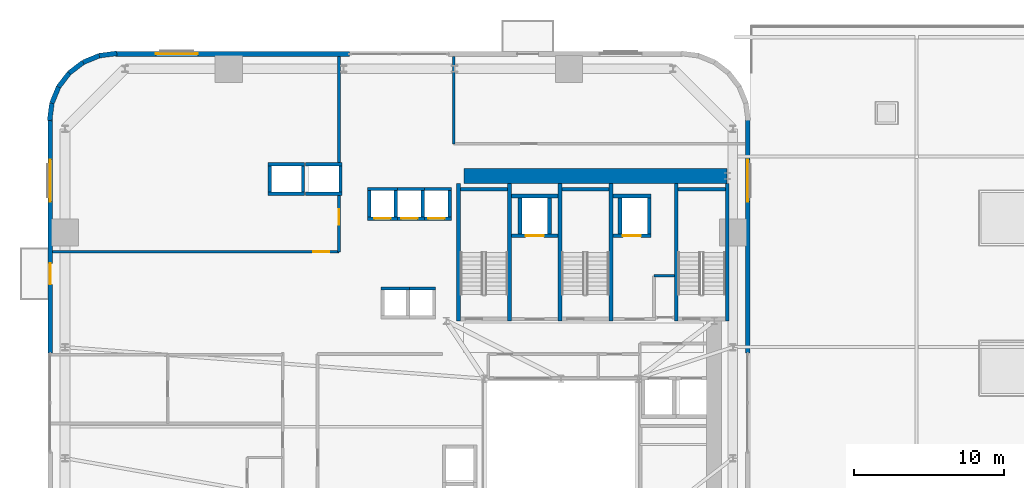
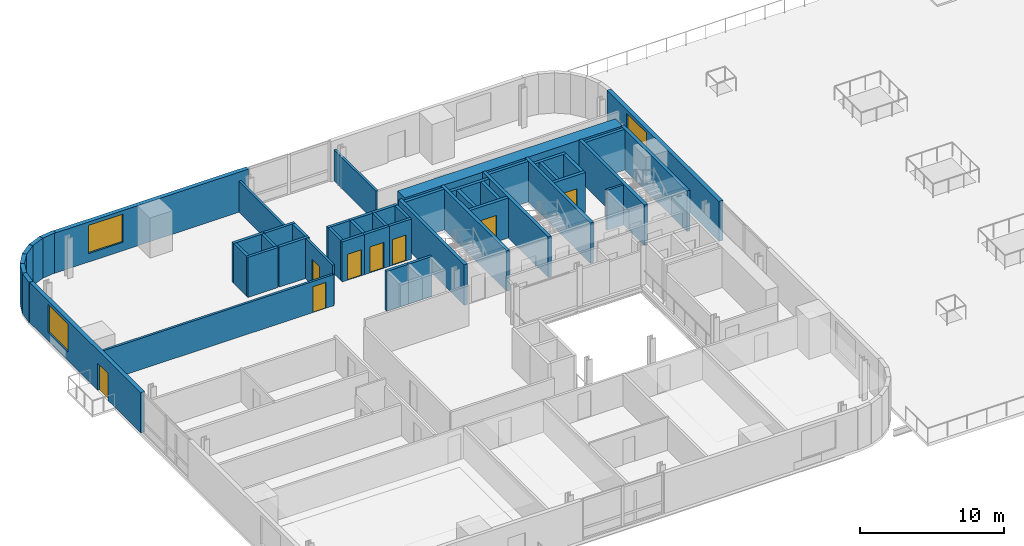
# One storey, part 11 of 18: 51 walls, 8 doors, 3 windows, 11 openings.
"""IFC4 building model written with IfcOpenShell, lengths in metres."""

from ifc_helpers import new_model, si_unit, direction, frame, frame_2d, origin, place, context, subcontext, project, spatial, rectangle, extrude, source, transform, mapped, material, layer, layer_set, type_object, element, fill, save


model = new_model("IFC4")

# Units and contexts
model_context = context("Model", 3, precision=1e-05, world=origin(), true_north=direction((0.0, 1.0)))
body_context = subcontext(model_context, "Body", "Model", "MODEL_VIEW")
ifc_project = project(units=[si_unit("LENGTHUNIT", "METRE"), si_unit("AREAUNIT", "SQUARE_METRE"), si_unit("VOLUMEUNIT", "CUBIC_METRE"), si_unit("PLANEANGLEUNIT", "RADIAN"), si_unit("MASSUNIT", "GRAM", prefix="KILO")], contexts=[model_context])

# Site, building, storey
site_placement = place(None, origin())
site = spatial("IfcSite", under=ifc_project, at=site_placement, CompositionType="ELEMENT")
building_placement = place(site_placement, origin())
building = spatial("IfcBuilding", under=site, at=building_placement, Name="Vardaveli Station Tower", CompositionType="ELEMENT")
storey_placement = place(building_placement, frame((0.0, 0.0, 27.60009765625)))
storey = spatial("IfcBuildingStorey", under=building, at=storey_placement, Name="L06", CompositionType="ELEMENT", Elevation=27.60009765625)

# Wall
ifc_material_1 = material(Name="Concrete C60/75", Category="concrete")
ifc_layer_1 = layer(ifc_material_1, 1.0, Name="Concrete C60/75")
ifc_layer_set_1 = layer_set([ifc_layer_1], Name="Concrete C60/75")
wall_type_1 = type_object("IfcWallType", Name="WAL-CORE-1000", PredefinedType="SHEAR", material=ifc_layer_set_1)
shared_shape_1 = source(origin(), body_context, "Body", "SweptSolid", [
    extrude(rectangle(XDim=17.52001953125, YDim=1.0, at=frame_2d((8.760009765625, 0.0))), origin(), (0.0, 0.0, 1.0), 3.409912109375),
])
wall_1_placement = place(storey_placement, frame((29.85009765625, 40.300048828125, 0.0), z_axis=(0.0, 0.0, 1.0), x_axis=(1.0, 0.0, 0.0)))
element("IfcWall", 1, at=wall_1_placement, inside=storey, type_object=wall_type_1, Name="SW-L06-NORTH", PredefinedType="SHEAR", context=body_context, shape_type="MappedRepresentation", body=[
    mapped(shared_shape_1, transform((0.0, 0.0, 0.0), scale=1.0)),
])

# Wall, opening, window
ifc_material_2 = material(Name="Precast concrete C45/55", Category="concrete")
ifc_layer_2 = layer(ifc_material_2, 0.320068359375, Name="Precast concrete C45/55")
ifc_layer_set_2 = layer_set([ifc_layer_2], Name="Precast concrete C45/55")
wall_type_2 = type_object("IfcWallType", Name="WAL-EXT-STONE-320", PredefinedType="SOLIDWALL", material=ifc_layer_set_2)
shared_shape_2 = source(origin(), body_context, "Body", "SweptSolid", [
    extrude(rectangle(XDim=15.599853515625, YDim=0.320068359375, at=frame_2d((7.7998046875, 0.0))), origin(), (0.0, 0.0, 1.0), 3.409912109375),
])
wall_2_placement = place(storey_placement, frame((22.199951171875, 48.43994140625, 0.0), z_axis=(0.0, 0.0, 1.0), x_axis=(-1.0, 0.0, 0.0)))
wall_2 = element("IfcWall", 2, at=wall_2_placement, inside=storey, type_object=wall_type_2, Name="EW-L06-N2", PredefinedType="SOLIDWALL", context=body_context, shape_type="MappedRepresentation", body=[
    mapped(shared_shape_2, transform((0.0, 0.0, 0.0), scale=1.0)),
])
shared_shape_3 = source(origin(), body_context, "Body", "SweptSolid", [
    extrude(rectangle(XDim=2.800048828125, YDim=2.39990234375, at=frame_2d((1.39990234375, 1.199951171875))), frame((0.0, 0.169921875, 0.0), z_axis=(0.0, -1.0, 0.0), x_axis=(1.0, 0.0, 0.0)), (0.0, 0.0, 1.0), 0.340087890625),
])
opening_1_placement = place(wall_2_placement, frame((10.094970703125, 0.0, 0.719970703125)))
opening_1 = element("IfcOpeningElement", 3, at=opening_1_placement, cuts=wall_2, Name="Opening W-04", PredefinedType="OPENING", context=body_context, shape_type="MappedRepresentation", body=[
    mapped(shared_shape_3, transform((0.0, 0.0, 0.0), scale=1.0)),
])
ifc_material_3 = material(Name="Low-E solar-control glass", Category="glass")
window_type = type_object("IfcWindowType", Name="WIN-SUITE-2800x2400", PartitioningType="SINGLE_PANEL", PredefinedType="WINDOW", material=ifc_material_3)
shared_shape_4 = source(origin(), body_context, "Body", "SweptSolid", [
    extrude(rectangle(XDim=2.800048828125, YDim=2.39990234375, at=frame_2d((1.39990234375, 1.199951171875))), frame((0.0, 0.030029296875, 0.0), z_axis=(0.0, -1.0, 0.0), x_axis=(1.0, 0.0, 0.0)), (0.0, 0.0, 1.0), 0.06005859375),
])
window_1_placement = place(opening_1_placement, origin())
window_1 = element("IfcWindow", 4, at=window_1_placement, inside=storey, type_object=window_type, Name="WN-L06-N2", OverallHeight=2.39990234375, OverallWidth=2.800048828125, PartitioningType="SINGLE_PANEL", PredefinedType="WINDOW", context=body_context, shape_type="MappedRepresentation", body=[
    mapped(shared_shape_4, transform((0.0, 0.0, 0.0), scale=1.0)),
])
fill(opening_1, window_1)

# Wall, openings, door, window
shared_shape_5 = source(origin(), body_context, "Body", "SweptSolid", [
    extrude(rectangle(XDim=15.60009765625, YDim=0.320068359375, at=frame_2d((7.800048828125, 0.0))), origin(), (0.0, 0.0, 1.0), 3.409912109375),
])
wall_3_placement = place(storey_placement, frame((2.260009765625, 44.10009765625, 0.0), z_axis=(0.0, 0.0, 1.0), x_axis=(0.0, -1.0, 0.0)))
wall_3 = element("IfcWall", 5, at=wall_3_placement, inside=storey, type_object=wall_type_2, Name="EW-L06-W1", PredefinedType="SOLIDWALL", context=body_context, shape_type="MappedRepresentation", body=[
    mapped(shared_shape_5, transform((0.0, 0.0, 0.0), scale=1.0)),
])
shared_shape_6 = source(origin(), body_context, "Body", "SweptSolid", [
    extrude(rectangle(XDim=1.39990234375, YDim=2.300048828125, at=frame_2d((0.699951171875, 1.14990234375))), frame((0.0, 0.169921875, 0.0), z_axis=(0.0, -1.0, 0.0), x_axis=(1.0, 0.0, 0.0)), (0.0, 0.0, 1.0), 0.340087890625),
])
opening_2_placement = place(wall_3_placement, frame((9.6103515625, 0.0, 0.0)))
opening_2 = element("IfcOpeningElement", 6, at=opening_2_placement, cuts=wall_3, Name="Opening D-09", PredefinedType="OPENING", context=body_context, shape_type="MappedRepresentation", body=[
    mapped(shared_shape_6, transform((0.0, 0.0, 0.0), scale=1.0)),
])
opening_3_placement = place(wall_3_placement, frame((2.705078125, 0.0, 0.719970703125)))
opening_3 = element("IfcOpeningElement", 7, at=opening_3_placement, cuts=wall_3, Name="Opening W-04", PredefinedType="OPENING", context=body_context, shape_type="MappedRepresentation", body=[
    mapped(shared_shape_3, transform((0.0, 0.0, 0.0), scale=1.0)),
])
ifc_material_4 = material(Name="Thermally broken aluminium glass", Category="aluminium")
door_type_1 = type_object("IfcDoorType", Name="DR-LOG-1400x2300", OperationType="DOUBLE_DOOR_SLIDING", PredefinedType="DOOR", material=ifc_material_4)
shared_shape_7 = source(origin(), body_context, "Body", "SweptSolid", [
    extrude(rectangle(XDim=1.39990234375, YDim=2.300048828125, at=frame_2d((0.699951171875, 1.14990234375))), frame((0.0, 0.02490234375, 0.0), z_axis=(0.0, -1.0, 0.0), x_axis=(1.0, 0.0, 0.0)), (0.0, 0.0, 1.0), 0.050048828125),
])
door_1_placement = place(opening_2_placement, frame((1.39990234375, 0.0, 0.0), z_axis=(0.0, 0.0, 1.0), x_axis=(-1.0, 0.0, 0.0)))
door_1 = element("IfcDoor", 8, at=door_1_placement, inside=storey, type_object=door_type_1, Name="DLG-L06-W", OperationType="DOUBLE_DOOR_SLIDING", OverallHeight=2.300048828125, OverallWidth=1.39990234375, PredefinedType="DOOR", context=body_context, shape_type="MappedRepresentation", body=[
    mapped(shared_shape_7, transform((0.0, 0.0, 0.0), scale=1.0)),
])
fill(opening_2, door_1)
window_2_placement = place(opening_3_placement, origin())
window_2 = element("IfcWindow", 9, at=window_2_placement, inside=storey, type_object=window_type, Name="WN-L06-W1", OverallHeight=2.39990234375, OverallWidth=2.800048828125, PartitioningType="SINGLE_PANEL", PredefinedType="WINDOW", context=body_context, shape_type="MappedRepresentation", body=[
    mapped(shared_shape_4, transform((0.0, 0.0, 0.0), scale=1.0)),
])
fill(opening_3, window_2)

# Wall, opening, window
wall_4_placement = place(storey_placement, frame((48.739990234375, 28.5, 0.0), z_axis=(0.0, 0.0, 1.0), x_axis=(0.0, 1.0, 0.0)))
wall_4 = element("IfcWall", 10, at=wall_4_placement, inside=storey, type_object=wall_type_2, Name="EW-L06-E2", PredefinedType="SOLIDWALL", context=body_context, shape_type="MappedRepresentation", body=[
    mapped(shared_shape_5, transform((0.0, 0.0, 0.0), scale=1.0)),
])
opening_4_placement = place(wall_4_placement, frame((10.094970703125, 0.0, 0.719970703125)))
opening_4 = element("IfcOpeningElement", 11, at=opening_4_placement, cuts=wall_4, Name="Opening W-04", PredefinedType="OPENING", context=body_context, shape_type="MappedRepresentation", body=[
    mapped(shared_shape_3, transform((0.0, 0.0, 0.0), scale=1.0)),
])
window_3_placement = place(opening_4_placement, origin())
window_3 = element("IfcWindow", 12, at=window_3_placement, inside=storey, type_object=window_type, Name="WN-L06-E2", OverallHeight=2.39990234375, OverallWidth=2.800048828125, PartitioningType="SINGLE_PANEL", PredefinedType="WINDOW", context=body_context, shape_type="MappedRepresentation", body=[
    mapped(shared_shape_4, transform((0.0, 0.0, 0.0), scale=1.0)),
])
fill(opening_4, window_3)

# Walls
shared_shape_8 = source(origin(), body_context, "Body", "SweptSolid", [
    extrude(rectangle(XDim=1.1689453125, YDim=0.320068359375, at=frame_2d((0.58447265625, 0.0))), origin(), (0.0, 0.0, 1.0), 3.409912109375),
])
wall_5_placement = place(storey_placement, frame((3.53125, 47.1689453125, 0.0), z_axis=(0.0, 0.0, 1.0), x_axis=(-0.608387696831, -0.793639975269, 0.0)))
element("IfcWall", 13, at=wall_5_placement, inside=storey, type_object=wall_type_2, Name="EW-L06-CR4-4", PredefinedType="SOLIDWALL", context=body_context, shape_type="MappedRepresentation", body=[
    mapped(shared_shape_8, transform((0.0, 0.0, 0.0), scale=1.0)),
])
shared_shape_9 = source(origin(), body_context, "Body", "SweptSolid", [
    extrude(rectangle(XDim=1.168701171875, YDim=0.320068359375, at=frame_2d((0.58447265625, 0.0))), origin(), (0.0, 0.0, 1.0), 3.409912109375),
])
wall_6_placement = place(storey_placement, frame((4.458740234375, 47.8798828125, 0.0), z_axis=(0.0, 0.0, 1.0), x_axis=(-0.793663520347, -0.608356981114, 0.0)))
element("IfcWall", 14, at=wall_6_placement, inside=storey, type_object=wall_type_2, Name="EW-L06-CR4-3", PredefinedType="SOLIDWALL", context=body_context, shape_type="MappedRepresentation", body=[
    mapped(shared_shape_9, transform((0.0, 0.0, 0.0), scale=1.0)),
])
shared_shape_10 = source(origin(), body_context, "Body", "SweptSolid", [
    extrude(rectangle(XDim=1.17041015625, YDim=0.320068359375, at=frame_2d((0.585205078125, 0.0))), origin(), (0.0, 0.0, 1.0), 3.409912109375),
])
for number, where, z_axis, x_axis, name in (
    (15, (6.700439453125, 48.4755859375, 0.0), (0.0, 0.0, 1.0), (-0.991735963317, -0.128295670475, 0.0), "EW-L06-CR4-1"),
    (16, (2.37451171875, 45.16015625, 0.0), (0.0, 0.0, 1.0), (-0.128295670475, -0.991735963317, 0.0), "EW-L06-CR4-6"),
):
    element("IfcWall", number, at=place(storey_placement, frame(where, z_axis=z_axis, x_axis=x_axis)), inside=storey, type_object=wall_type_2, Name=name, PredefinedType="SOLIDWALL", context=body_context, shape_type="MappedRepresentation", body=[
        mapped(shared_shape_10, transform((0.0, 0.0, 0.0), scale=1.0)),
    ])
shared_shape_11 = source(origin(), body_context, "Body", "SweptSolid", [
    extrude(rectangle(XDim=1.169189453125, YDim=0.320068359375, at=frame_2d((0.58447265625, 0.0))), origin(), (0.0, 0.0, 1.0), 3.409912109375),
])
for number, where, z_axis, x_axis, name in (
    (17, (5.539794921875, 48.325439453125, 0.0), (0.0, 0.0, 1.0), (-0.924552646638, -0.381054331552, 0.0), "EW-L06-CR4-2"),
    (18, (2.820068359375, 46.2412109375, 0.0), (0.0, 0.0, 1.0), (-0.381054331552, -0.924552646638, 0.0), "EW-L06-CR4-5"),
):
    element("IfcWall", number, at=place(storey_placement, frame(where, z_axis=z_axis, x_axis=x_axis)), inside=storey, type_object=wall_type_2, Name=name, PredefinedType="SOLIDWALL", context=body_context, shape_type="MappedRepresentation", body=[
        mapped(shared_shape_11, transform((0.0, 0.0, 0.0), scale=1.0)),
    ])
ifc_material_5 = material(Name="Concrete C40/50", Category="concrete")
ifc_layer_3 = layer(ifc_material_5, 0.25, Name="Concrete C40/50")
ifc_layer_set_3 = layer_set([ifc_layer_3], Name="Concrete C40/50")
wall_type_3 = type_object("IfcWallType", Name="WAL-SHAFT-250", PredefinedType="SOLIDWALL", material=ifc_layer_set_3)
shared_shape_12 = source(origin(), body_context, "Body", "SweptSolid", [
    extrude(rectangle(XDim=9.150146484375, YDim=0.25, at=frame_2d((4.5751953125, 0.0))), origin(), (0.0, 0.0, 1.0), 3.449951171875),
])
for number, where, z_axis, x_axis, name in (
    (19, (29.47509765625, 30.64990234375, 0.0), (0.0, 0.0, 1.0), (0.0, 1.0, 0.0), "W-L06-ST-1W"),
    (20, (32.875, 30.64990234375, 0.0), (0.0, 0.0, 1.0), (0.0, 1.0, 0.0), "W-L06-ST-1E"),
    (21, (36.22509765625, 30.64990234375, 0.0), (0.0, 0.0, 1.0), (0.0, 1.0, 0.0), "W-L06-ST-2W"),
    (22, (39.625, 30.64990234375, 0.0), (0.0, 0.0, 1.0), (0.0, 1.0, 0.0), "W-L06-ST-2E"),
    (23, (43.97509765625, 30.64990234375, 0.0), (0.0, 0.0, 1.0), (0.0, 1.0, 0.0), "W-L06-ST-3W"),
    (24, (47.375, 30.64990234375, 0.0), (0.0, 0.0, 1.0), (0.0, 1.0, 0.0), "W-L06-ST-3E"),
):
    element("IfcWall", number, at=place(storey_placement, frame(where, z_axis=z_axis, x_axis=x_axis)), inside=storey, type_object=wall_type_3, Name=name, PredefinedType="SOLIDWALL", context=body_context, shape_type="MappedRepresentation", body=[
        mapped(shared_shape_12, transform((0.0, 0.0, 0.0), scale=1.0)),
    ])
shared_shape_13 = source(origin(), body_context, "Body", "SweptSolid", [
    extrude(rectangle(XDim=3.14990234375, YDim=0.25, at=frame_2d((1.574951171875, 0.0))), origin(), (0.0, 0.0, 1.0), 3.449951171875),
])
for number, where, z_axis, x_axis, name in (
    (25, (29.60009765625, 39.425048828125, 0.0), (0.0, 0.0, 1.0), (1.0, 0.0, 0.0), "W-L06-ST-1N"),
    (26, (36.35009765625, 39.425048828125, 0.0), (0.0, 0.0, 1.0), (1.0, 0.0, 0.0), "W-L06-ST-2N"),
    (27, (44.10009765625, 39.425048828125, 0.0), (0.0, 0.0, 1.0), (1.0, 0.0, 0.0), "W-L06-ST-3N"),
):
    element("IfcWall", number, at=place(storey_placement, frame(where, z_axis=z_axis, x_axis=x_axis)), inside=storey, type_object=wall_type_3, Name=name, PredefinedType="SOLIDWALL", context=body_context, shape_type="MappedRepresentation", body=[
        mapped(shared_shape_13, transform((0.0, 0.0, 0.0), scale=1.0)),
    ])
ifc_layer_4 = layer(ifc_material_5, 0.219970703125, Name="Concrete C40/50")
ifc_layer_set_4 = layer_set([ifc_layer_4], Name="Concrete C40/50")
wall_type_4 = type_object("IfcWallType", Name="WAL-FFLOBBY-220", PredefinedType="SOLIDWALL", material=ifc_layer_set_4)
shared_shape_14 = source(origin(), body_context, "Body", "SweptSolid", [
    extrude(rectangle(XDim=2.43994140625, YDim=0.219970703125, at=frame_2d((1.219970703125, 0.0))), origin(), (0.0, 0.0, 1.0), 3.409912109375),
])
for number, where, z_axis, x_axis, name in (
    (28, (16.780029296875, 39.114990234375, 0.0), (0.0, 0.0, 1.0), (1.0, 0.0, 0.0), "SHW-POD-01-L06-S"),
    (29, (16.780029296875, 41.0849609375, 0.0), (0.0, 0.0, 1.0), (1.0, 0.0, 0.0), "SHW-POD-01-L06-N"),
    (30, (19.280029296875, 39.114990234375, 0.0), (0.0, 0.0, 1.0), (1.0, 0.0, 0.0), "SHW-POD-02-L06-S"),
    (31, (19.280029296875, 41.0849609375, 0.0), (0.0, 0.0, 1.0), (1.0, 0.0, 0.0), "SHW-POD-02-L06-N"),
):
    element("IfcWall", number, at=place(storey_placement, frame(where, z_axis=z_axis, x_axis=x_axis)), inside=storey, type_object=wall_type_4, Name=name, PredefinedType="SOLIDWALL", context=body_context, shape_type="MappedRepresentation", body=[
        mapped(shared_shape_14, transform((0.0, 0.0, 0.0), scale=1.0)),
    ])
shared_shape_15 = source(origin(), body_context, "Body", "SweptSolid", [
    extrude(rectangle(XDim=1.75, YDim=0.219970703125, at=frame_2d((0.875, 0.0))), origin(), (0.0, 0.0, 1.0), 3.409912109375),
])
for number, where, z_axis, x_axis, name in (
    (32, (16.889892578125, 39.22509765625, 0.0), (0.0, 0.0, 1.0), (0.0, 1.0, 0.0), "SHW-POD-01-L06-W"),
    (33, (19.110107421875, 39.22509765625, 0.0), (0.0, 0.0, 1.0), (0.0, 1.0, 0.0), "SHW-POD-01-L06-E"),
    (34, (21.610107421875, 39.22509765625, 0.0), (0.0, 0.0, 1.0), (0.0, 1.0, 0.0), "SHW-POD-02-L06-E"),
    (35, (23.514892578125, 37.574951171875, 0.0), (0.0, 0.0, 1.0), (0.0, 1.0, 0.0), "SHW-HL1-01-L06-W"),
    (36, (25.284912109375, 37.574951171875, 0.0), (0.0, 0.0, 1.0), (0.0, 1.0, 0.0), "SHW-HL1-01-L06-E"),
    (37, (27.0849609375, 37.574951171875, 0.0), (0.0, 0.0, 1.0), (0.0, 1.0, 0.0), "SHW-HL1-02-L06-E"),
    (38, (28.885009765625, 37.574951171875, 0.0), (0.0, 0.0, 1.0), (0.0, 1.0, 0.0), "SHW-HL1-03-L06-E"),
):
    element("IfcWall", number, at=place(storey_placement, frame(where, z_axis=z_axis, x_axis=x_axis)), inside=storey, type_object=wall_type_4, Name=name, PredefinedType="SOLIDWALL", context=body_context, shape_type="MappedRepresentation", body=[
        mapped(shared_shape_15, transform((0.0, 0.0, 0.0), scale=1.0)),
    ])

# Wall, opening, door
shared_shape_16 = source(origin(), body_context, "Body", "SweptSolid", [
    extrude(rectangle(XDim=1.989990234375, YDim=0.219970703125, at=frame_2d((0.9951171875, 0.0))), origin(), (0.0, 0.0, 1.0), 3.409912109375),
])
wall_7_placement = place(storey_placement, frame((23.405029296875, 37.465087890625, 0.0), z_axis=(0.0, 0.0, 1.0), x_axis=(1.0, 0.0, 0.0)))
wall_7 = element("IfcWall", 39, at=wall_7_placement, inside=storey, type_object=wall_type_4, Name="SHW-HL1-01-L06-S", PredefinedType="SOLIDWALL", context=body_context, shape_type="MappedRepresentation", body=[
    mapped(shared_shape_16, transform((0.0, 0.0, 0.0), scale=1.0)),
])
shared_shape_17 = source(origin(), body_context, "Body", "SweptSolid", [
    extrude(rectangle(XDim=1.10009765625, YDim=2.199951171875, at=frame_2d((0.550048828125, 1.10009765625))), frame((0.0, 0.1201171875, 0.0), z_axis=(0.0, -1.0, 0.0), x_axis=(1.0, 0.0, 0.0)), (0.0, 0.0, 1.0), 0.239990234375),
])
opening_5_placement = place(wall_7_placement, frame((0.445068359375, 0.0, 0.0)))
opening_5 = element("IfcOpeningElement", 40, at=opening_5_placement, cuts=wall_7, Name="Opening LD-01", PredefinedType="OPENING", context=body_context, shape_type="MappedRepresentation", body=[
    mapped(shared_shape_17, transform((0.0, 0.0, 0.0), scale=1.0)),
])
ifc_material_6 = material(Name="Brushed stainless steel", Category="steel")
door_type_2 = type_object("IfcDoorType", Name="DR-LD-1100x2200", OperationType="DOUBLE_DOOR_SLIDING", PredefinedType="DOOR", material=ifc_material_6)
shared_shape_18 = source(origin(), body_context, "Body", "SweptSolid", [
    extrude(rectangle(XDim=1.10009765625, YDim=2.199951171875, at=frame_2d((0.550048828125, 1.10009765625))), frame((0.0, 0.02490234375, 0.0), z_axis=(0.0, -1.0, 0.0), x_axis=(1.0, 0.0, 0.0)), (0.0, 0.0, 1.0), 0.050048828125),
])
door_2_placement = place(opening_5_placement, origin())
door_2 = element("IfcDoor", 41, at=door_2_placement, inside=storey, type_object=door_type_2, Name="LD-HL1-01-L06", OperationType="DOUBLE_DOOR_SLIDING", OverallHeight=2.199951171875, OverallWidth=1.10009765625, PredefinedType="DOOR", context=body_context, shape_type="MappedRepresentation", body=[
    mapped(shared_shape_18, transform((0.0, 0.0, 0.0), scale=1.0)),
])
fill(opening_5, door_2)

# Wall
wall_8_placement = place(storey_placement, frame((23.405029296875, 39.43505859375, 0.0), z_axis=(0.0, 0.0, 1.0), x_axis=(1.0, 0.0, 0.0)))
element("IfcWall", 42, at=wall_8_placement, inside=storey, type_object=wall_type_4, Name="SHW-HL1-01-L06-N", PredefinedType="SOLIDWALL", context=body_context, shape_type="MappedRepresentation", body=[
    mapped(shared_shape_16, transform((0.0, 0.0, 0.0), scale=1.0)),
])

# Wall, opening, door
wall_9_placement = place(storey_placement, frame((25.205078125, 37.465087890625, 0.0), z_axis=(0.0, 0.0, 1.0), x_axis=(1.0, 0.0, 0.0)))
wall_9 = element("IfcWall", 43, at=wall_9_placement, inside=storey, type_object=wall_type_4, Name="SHW-HL1-02-L06-S", PredefinedType="SOLIDWALL", context=body_context, shape_type="MappedRepresentation", body=[
    mapped(shared_shape_16, transform((0.0, 0.0, 0.0), scale=1.0)),
])
opening_6_placement = place(wall_9_placement, frame((0.445068359375, 0.0, 0.0)))
opening_6 = element("IfcOpeningElement", 44, at=opening_6_placement, cuts=wall_9, Name="Opening LD-01", PredefinedType="OPENING", context=body_context, shape_type="MappedRepresentation", body=[
    mapped(shared_shape_17, transform((0.0, 0.0, 0.0), scale=1.0)),
])
door_3_placement = place(opening_6_placement, origin())
door_3 = element("IfcDoor", 45, at=door_3_placement, inside=storey, type_object=door_type_2, Name="LD-HL1-02-L06", OperationType="DOUBLE_DOOR_SLIDING", OverallHeight=2.199951171875, OverallWidth=1.10009765625, PredefinedType="DOOR", context=body_context, shape_type="MappedRepresentation", body=[
    mapped(shared_shape_18, transform((0.0, 0.0, 0.0), scale=1.0)),
])
fill(opening_6, door_3)

# Wall
wall_10_placement = place(storey_placement, frame((25.205078125, 39.43505859375, 0.0), z_axis=(0.0, 0.0, 1.0), x_axis=(1.0, 0.0, 0.0)))
element("IfcWall", 46, at=wall_10_placement, inside=storey, type_object=wall_type_4, Name="SHW-HL1-02-L06-N", PredefinedType="SOLIDWALL", context=body_context, shape_type="MappedRepresentation", body=[
    mapped(shared_shape_16, transform((0.0, 0.0, 0.0), scale=1.0)),
])

# Wall, opening, door
shared_shape_19 = source(origin(), body_context, "Body", "SweptSolid", [
    extrude(rectangle(XDim=1.990234375, YDim=0.219970703125, at=frame_2d((0.9951171875, 0.0))), origin(), (0.0, 0.0, 1.0), 3.409912109375),
])
wall_11_placement = place(storey_placement, frame((27.0048828125, 37.465087890625, 0.0), z_axis=(0.0, 0.0, 1.0), x_axis=(1.0, 0.0, 0.0)))
wall_11 = element("IfcWall", 47, at=wall_11_placement, inside=storey, type_object=wall_type_4, Name="SHW-HL1-03-L06-S", PredefinedType="SOLIDWALL", context=body_context, shape_type="MappedRepresentation", body=[
    mapped(shared_shape_19, transform((0.0, 0.0, 0.0), scale=1.0)),
])
opening_7_placement = place(wall_11_placement, frame((0.445068359375, 0.0, 0.0)))
opening_7 = element("IfcOpeningElement", 48, at=opening_7_placement, cuts=wall_11, Name="Opening LD-01", PredefinedType="OPENING", context=body_context, shape_type="MappedRepresentation", body=[
    mapped(shared_shape_17, transform((0.0, 0.0, 0.0), scale=1.0)),
])
door_4_placement = place(opening_7_placement, origin())
door_4 = element("IfcDoor", 49, at=door_4_placement, inside=storey, type_object=door_type_2, Name="LD-HL1-03-L06", OperationType="DOUBLE_DOOR_SLIDING", OverallHeight=2.199951171875, OverallWidth=1.10009765625, PredefinedType="DOOR", context=body_context, shape_type="MappedRepresentation", body=[
    mapped(shared_shape_18, transform((0.0, 0.0, 0.0), scale=1.0)),
])
fill(opening_7, door_4)

# Wall
wall_12_placement = place(storey_placement, frame((27.0048828125, 39.43505859375, 0.0), z_axis=(0.0, 0.0, 1.0), x_axis=(1.0, 0.0, 0.0)))
element("IfcWall", 50, at=wall_12_placement, inside=storey, type_object=wall_type_4, Name="SHW-HL1-03-L06-N", PredefinedType="SOLIDWALL", context=body_context, shape_type="MappedRepresentation", body=[
    mapped(shared_shape_19, transform((0.0, 0.0, 0.0), scale=1.0)),
])

# Wall, opening, door
shared_shape_20 = source(origin(), body_context, "Body", "SweptSolid", [
    extrude(rectangle(XDim=3.10009765625, YDim=0.25, at=frame_2d((1.550048828125, 0.0))), origin(), (0.0, 0.0, 1.0), 3.409912109375),
])
wall_13_placement = place(storey_placement, frame((33.0, 36.324951171875, 0.0), z_axis=(0.0, 0.0, 1.0), x_axis=(1.0, 0.0, 0.0)))
wall_13 = element("IfcWall", 51, at=wall_13_placement, inside=storey, type_object=wall_type_3, Name="SHW-FFL-01-L06-S", PredefinedType="SOLIDWALL", context=body_context, shape_type="MappedRepresentation", body=[
    mapped(shared_shape_20, transform((0.0, 0.0, 0.0), scale=1.0)),
])
shared_shape_21 = source(origin(), body_context, "Body", "SweptSolid", [
    extrude(rectangle(XDim=1.199951171875, YDim=2.25, at=frame_2d((0.60009765625, 1.125))), frame((0.0, 0.135009765625, 0.0), z_axis=(0.0, -1.0, 0.0), x_axis=(1.0, 0.0, 0.0)), (0.0, 0.0, 1.0), 0.27001953125),
])
opening_8_placement = place(wall_13_placement, frame((0.949951171875, 0.0, 0.0)))
opening_8 = element("IfcOpeningElement", 52, at=opening_8_placement, cuts=wall_13, Name="Opening LD-02", PredefinedType="OPENING", context=body_context, shape_type="MappedRepresentation", body=[
    mapped(shared_shape_21, transform((0.0, 0.0, 0.0), scale=1.0)),
])
door_type_3 = type_object("IfcDoorType", Name="DR-LD-1200x2250", OperationType="DOUBLE_DOOR_SLIDING", PredefinedType="DOOR", material=ifc_material_6)
shared_shape_22 = source(origin(), body_context, "Body", "SweptSolid", [
    extrude(rectangle(XDim=1.199951171875, YDim=2.25, at=frame_2d((0.60009765625, 1.125))), frame((0.0, 0.02490234375, 0.0), z_axis=(0.0, -1.0, 0.0), x_axis=(1.0, 0.0, 0.0)), (0.0, 0.0, 1.0), 0.050048828125),
])
door_5_placement = place(opening_8_placement, origin())
door_5 = element("IfcDoor", 53, at=door_5_placement, inside=storey, type_object=door_type_3, Name="LD-FFL-01-L06", OperationType="DOUBLE_DOOR_SLIDING", OverallHeight=2.25, OverallWidth=1.199951171875, PredefinedType="DOOR", context=body_context, shape_type="MappedRepresentation", body=[
    mapped(shared_shape_22, transform((0.0, 0.0, 0.0), scale=1.0)),
])
fill(opening_8, door_5)

# Walls
wall_14_placement = place(storey_placement, frame((33.0, 38.97509765625, 0.0), z_axis=(0.0, 0.0, 1.0), x_axis=(1.0, 0.0, 0.0)))
element("IfcWall", 54, at=wall_14_placement, inside=storey, type_object=wall_type_3, Name="SHW-FFL-01-L06-N", PredefinedType="SOLIDWALL", context=body_context, shape_type="MappedRepresentation", body=[
    mapped(shared_shape_20, transform((0.0, 0.0, 0.0), scale=1.0)),
])
shared_shape_23 = source(origin(), body_context, "Body", "SweptSolid", [
    extrude(rectangle(XDim=2.400146484375, YDim=0.25, at=frame_2d((1.2001953125, 0.0))), origin(), (0.0, 0.0, 1.0), 3.409912109375),
])
for number, where, z_axis, x_axis, name in (
    (55, (33.574951171875, 36.449951171875, 0.0), (0.0, 0.0, 1.0), (0.0, 1.0, 0.0), "SHW-FFL-01-L06-W"),
    (56, (35.52490234375, 36.449951171875, 0.0), (0.0, 0.0, 1.0), (0.0, 1.0, 0.0), "SHW-FFL-01-L06-E"),
    (57, (40.22509765625, 36.449951171875, 0.0), (0.0, 0.0, 1.0), (0.0, 1.0, 0.0), "SHW-FFL-02-L06-W"),
    (58, (42.175048828125, 36.449951171875, 0.0), (0.0, 0.0, 1.0), (0.0, 1.0, 0.0), "SHW-FFL-02-L06-E"),
):
    element("IfcWall", number, at=place(storey_placement, frame(where, z_axis=z_axis, x_axis=x_axis)), inside=storey, type_object=wall_type_3, Name=name, PredefinedType="SOLIDWALL", context=body_context, shape_type="MappedRepresentation", body=[
        mapped(shared_shape_23, transform((0.0, 0.0, 0.0), scale=1.0)),
    ])

# Wall, opening, door
shared_shape_24 = source(origin(), body_context, "Body", "SweptSolid", [
    extrude(rectangle(XDim=2.550048828125, YDim=0.25, at=frame_2d((1.27490234375, 0.0))), origin(), (0.0, 0.0, 1.0), 3.409912109375),
])
wall_15_placement = place(storey_placement, frame((39.75, 36.324951171875, 0.0), z_axis=(0.0, 0.0, 1.0), x_axis=(1.0, 0.0, 0.0)))
wall_15 = element("IfcWall", 59, at=wall_15_placement, inside=storey, type_object=wall_type_3, Name="SHW-FFL-02-L06-S", PredefinedType="SOLIDWALL", context=body_context, shape_type="MappedRepresentation", body=[
    mapped(shared_shape_24, transform((0.0, 0.0, 0.0), scale=1.0)),
])
opening_9_placement = place(wall_15_placement, frame((0.675048828125, 0.0, 0.0)))
opening_9 = element("IfcOpeningElement", 60, at=opening_9_placement, cuts=wall_15, Name="Opening LD-02", PredefinedType="OPENING", context=body_context, shape_type="MappedRepresentation", body=[
    mapped(shared_shape_21, transform((0.0, 0.0, 0.0), scale=1.0)),
])
door_6_placement = place(opening_9_placement, origin())
door_6 = element("IfcDoor", 61, at=door_6_placement, inside=storey, type_object=door_type_3, Name="LD-FFL-02-L06", OperationType="DOUBLE_DOOR_SLIDING", OverallHeight=2.25, OverallWidth=1.199951171875, PredefinedType="DOOR", context=body_context, shape_type="MappedRepresentation", body=[
    mapped(shared_shape_22, transform((0.0, 0.0, 0.0), scale=1.0)),
])
fill(opening_9, door_6)

# Walls
wall_16_placement = place(storey_placement, frame((39.75, 38.97509765625, 0.0), z_axis=(0.0, 0.0, 1.0), x_axis=(1.0, 0.0, 0.0)))
element("IfcWall", 62, at=wall_16_placement, inside=storey, type_object=wall_type_3, Name="SHW-FFL-02-L06-N", PredefinedType="SOLIDWALL", context=body_context, shape_type="MappedRepresentation", body=[
    mapped(shared_shape_24, transform((0.0, 0.0, 0.0), scale=1.0)),
])
shared_shape_25 = source(origin(), body_context, "Body", "SweptSolid", [
    extrude(rectangle(XDim=1.89013671875, YDim=0.219970703125, at=frame_2d((0.945068359375, 0.0))), origin(), (0.0, 0.0, 1.0), 3.409912109375),
])
for number, where, z_axis, x_axis, name in (
    (63, (24.304931640625, 32.81005859375, 0.0), (0.0, 0.0, 1.0), (1.0, 0.0, 0.0), "SHW-SHU-01-L06-N"),
    (64, (26.054931640625, 32.81005859375, 0.0), (0.0, 0.0, 1.0), (1.0, 0.0, 0.0), "SHW-SHU-02-L06-N"),
):
    element("IfcWall", number, at=place(storey_placement, frame(where, z_axis=z_axis, x_axis=x_axis)), inside=storey, type_object=wall_type_4, Name=name, PredefinedType="SOLIDWALL", context=body_context, shape_type="MappedRepresentation", body=[
        mapped(shared_shape_25, transform((0.0, 0.0, 0.0), scale=1.0)),
    ])

# Wall, opening, door
ifc_material_7 = material(Name="Fire-rated gypsum stud partition")
ifc_layer_5 = layer(ifc_material_7, 0.179931640625, Name="Fire-rated gypsum stud partition")
ifc_layer_set_5 = layer_set([ifc_layer_5], Name="Fire-rated gypsum stud partition")
wall_type_5 = type_object("IfcWallType", Name="WAL-CORR-180", PredefinedType="PARTITIONING", material=ifc_layer_set_5)
shared_shape_26 = source(origin(), body_context, "Body", "SweptSolid", [
    extrude(rectangle(XDim=19.077880859375, YDim=0.179931640625, at=frame_2d((9.5390625, 0.0))), origin(), (0.0, 0.0, 1.0), 2.65185546875),
])
wall_17_placement = place(storey_placement, frame((2.422119140625, 35.25, 0.0), z_axis=(0.0, 0.0, 1.0), x_axis=(1.0, 0.0, 0.0)))
wall_17 = element("IfcWall", 65, at=wall_17_placement, inside=storey, type_object=wall_type_5, Name="W-L06-CNWS", PredefinedType="PARTITIONING", context=body_context, shape_type="MappedRepresentation", body=[
    mapped(shared_shape_26, transform((0.0, 0.0, 0.0), scale=1.0)),
])
shared_shape_27 = source(origin(), body_context, "Body", "SweptSolid", [
    extrude(rectangle(XDim=1.050048828125, YDim=2.199951171875, at=frame_2d((0.52490234375, 1.10009765625))), frame((0.0, 0.10009765625, 0.0), z_axis=(0.0, -1.0, 0.0), x_axis=(1.0, 0.0, 0.0)), (0.0, 0.0, 1.0), 0.199951171875),
])
opening_10_placement = place(wall_17_placement, frame((17.3779296875, 0.0, 0.0)))
opening_10 = element("IfcOpeningElement", 66, at=opening_10_placement, cuts=wall_17, Name="Opening D-05", PredefinedType="OPENING", context=body_context, shape_type="MappedRepresentation", body=[
    mapped(shared_shape_27, transform((0.0, 0.0, 0.0), scale=1.0)),
])
ifc_material_8 = material(Name="Walnut veneer acoustic fire door")
door_type_4 = type_object("IfcDoorType", Name="DR-SUITE-1050x2200", OperationType="NOTDEFINED", PredefinedType="DOOR", material=ifc_material_8)
shared_shape_28 = source(origin(), body_context, "Body", "SweptSolid", [
    extrude(rectangle(XDim=1.050048828125, YDim=2.199951171875, at=frame_2d((0.52490234375, 1.10009765625))), frame((0.0, 0.02490234375, 0.0), z_axis=(0.0, -1.0, 0.0), x_axis=(1.0, 0.0, 0.0)), (0.0, 0.0, 1.0), 0.050048828125),
])
door_7_placement = place(opening_10_placement, origin())
door_7 = element("IfcDoor", 67, at=door_7_placement, inside=storey, type_object=door_type_4, Name="D-L06-GNW1", OperationType="SINGLE_SWING_RIGHT", OverallHeight=2.199951171875, OverallWidth=1.050048828125, PredefinedType="DOOR", context=body_context, shape_type="MappedRepresentation", body=[
    mapped(shared_shape_28, transform((0.0, 0.0, 0.0), scale=1.0)),
])
fill(opening_10, door_7)

shared_shape_29 = source(origin(), body_context, "Body", "SweptSolid", [
    extrude(rectangle(XDim=3.7529296875, YDim=0.179931640625, at=frame_2d((1.87646484375, 0.0))), origin(), (0.0, 0.0, 1.0), 3.409912109375),
])
wall_18_placement = place(storey_placement, frame((21.5, 35.25, 0.0), z_axis=(0.0, 0.0, 1.0), x_axis=(0.0, 1.0, 0.0)))
wall_18 = element("IfcWall", 68, at=wall_18_placement, inside=storey, type_object=wall_type_5, Name="W-L06-CNWE-P1", PredefinedType="PARTITIONING", context=body_context, shape_type="MappedRepresentation", body=[
    mapped(shared_shape_29, transform((0.0, 0.0, 0.0), scale=1.0)),
])
opening_11_placement = place(wall_18_placement, frame((1.800048828125, 0.0, 0.0)))
opening_11 = element("IfcOpeningElement", 69, at=opening_11_placement, cuts=wall_18, Name="Opening D-05", PredefinedType="OPENING", context=body_context, shape_type="MappedRepresentation", body=[
    mapped(shared_shape_27, transform((0.0, 0.0, 0.0), scale=1.0)),
])
door_8_placement = place(opening_11_placement, origin())
door_8 = element("IfcDoor", 70, at=door_8_placement, inside=storey, type_object=door_type_4, Name="D-L06-GNWE", OperationType="SINGLE_SWING_RIGHT", OverallHeight=2.199951171875, OverallWidth=1.050048828125, PredefinedType="DOOR", context=body_context, shape_type="MappedRepresentation", body=[
    mapped(shared_shape_28, transform((0.0, 0.0, 0.0), scale=1.0)),
])
fill(opening_11, door_8)

# Walls
shared_shape_30 = source(origin(), body_context, "Body", "SweptSolid", [
    extrude(rectangle(XDim=7.0810546875, YDim=0.179931640625, at=frame_2d((3.54052734375, 0.0))), origin(), (0.0, 0.0, 1.0), 2.65185546875),
])
wall_19_placement = place(storey_placement, frame((21.5, 41.197021484375, 0.0), z_axis=(0.0, 0.0, 1.0), x_axis=(0.0, 1.0, 0.0)))
element("IfcWall", 71, at=wall_19_placement, inside=storey, type_object=wall_type_5, Name="W-L06-CNWE-P2", PredefinedType="PARTITIONING", context=body_context, shape_type="MappedRepresentation", body=[
    mapped(shared_shape_30, transform((0.0, 0.0, 0.0), scale=1.0)),
])
shared_shape_31 = source(origin(), body_context, "Body", "SweptSolid", [
    extrude(rectangle(XDim=5.828125, YDim=0.179931640625, at=frame_2d((2.9140625, 0.0))), origin(), (0.0, 0.0, 1.0), 2.65185546875),
])
wall_20_placement = place(storey_placement, frame((29.14990234375, 42.449951171875, 0.0), z_axis=(0.0, 0.0, 1.0), x_axis=(0.0, 1.0, 0.0)))
element("IfcWall", 72, at=wall_20_placement, inside=storey, type_object=wall_type_5, Name="W-L06-NPW", PredefinedType="PARTITIONING", context=body_context, shape_type="MappedRepresentation", body=[
    mapped(shared_shape_31, transform((0.0, 0.0, 0.0), scale=1.0)),
])
shared_shape_32 = source(origin(), body_context, "Body", "SweptSolid", [
    extrude(rectangle(XDim=1.347900390625, YDim=0.179931640625, at=frame_2d((0.673828125, 0.0))), origin(), (0.0, 0.0, 1.0), 3.409912109375),
])
wall_21_placement = place(storey_placement, frame((42.5, 33.64990234375, 0.0), z_axis=(0.0, 0.0, 1.0), x_axis=(1.0, 0.0, 0.0)))
element("IfcWall", 73, at=wall_21_placement, inside=storey, type_object=wall_type_5, Name="W-L06-CBS0-N", PredefinedType="PARTITIONING", context=body_context, shape_type="MappedRepresentation", body=[
    mapped(shared_shape_32, transform((0.0, 0.0, 0.0), scale=1.0)),
])

save(model, "model.ifc")
